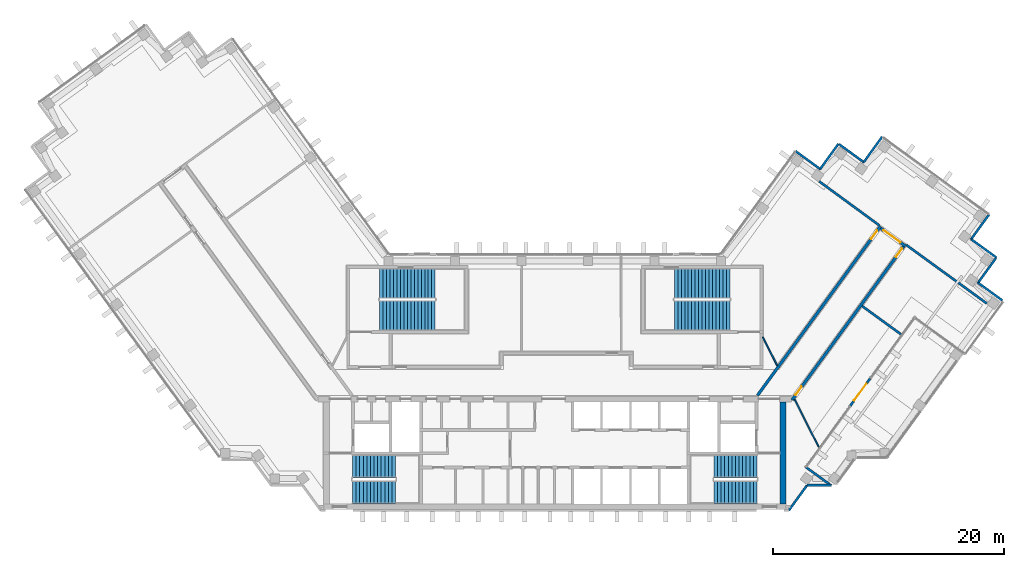
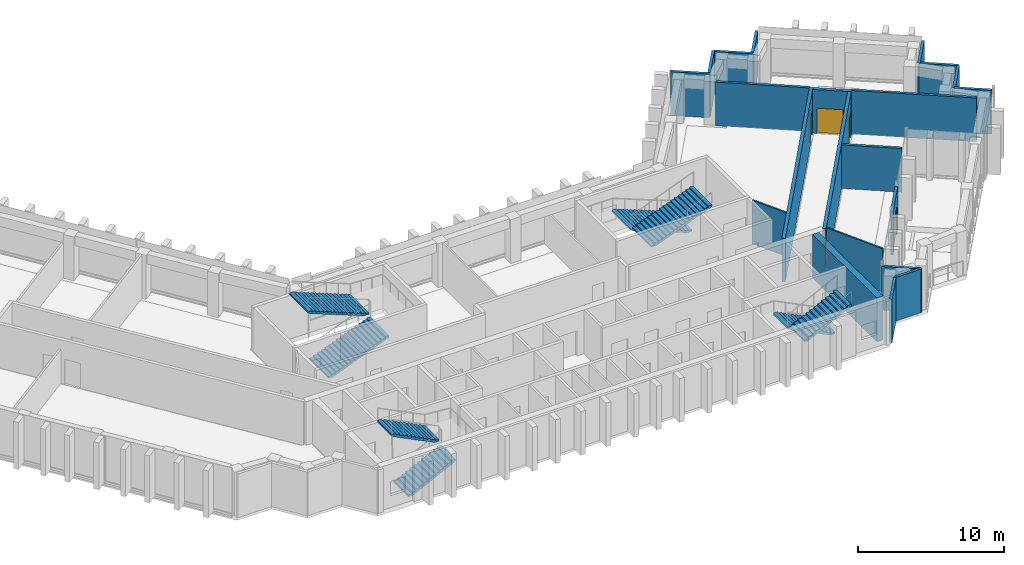
# One storey, part 8 of 10: 21 walls, 8 stair flights, 5 doors, 5 openings, 4 elements without a shape of their own.
"""IFC4 building model written with IfcOpenShell, lengths in metres."""

from ifc_helpers import new_model, si_unit, direction, frame, frame_2d, origin, place, context, subcontext, project, spatial, polyline, rectangle, outline, extrude, material, layer, layer_set, type_object, element, fill, aggregate, save


model = new_model("IFC4")

# Units and contexts
model_context = context("Model", 3, precision=1e-05, world=origin(), true_north=direction((0.0, 1.0)))
body_context = subcontext(model_context, "Body", "Model", "MODEL_VIEW")
ifc_project = project(units=[si_unit("LENGTHUNIT", "METRE"), si_unit("AREAUNIT", "SQUARE_METRE"), si_unit("VOLUMEUNIT", "CUBIC_METRE"), si_unit("PLANEANGLEUNIT", "RADIAN"), si_unit("MASSUNIT", "GRAM", prefix="KILO")], contexts=[model_context])

# Site, building, storey
site_placement = place(None, origin())
site = spatial("IfcSite", under=ifc_project, at=site_placement, CompositionType="ELEMENT")
building_placement = place(site_placement, origin())
building = spatial("IfcBuilding", under=site, at=building_placement, Name="Quipu Civic Tower", CompositionType="ELEMENT")
storey_placement = place(building_placement, frame((0.0, 0.0, 206.0)))
storey = spatial("IfcBuildingStorey", under=building, at=storey_placement, Name="L48", CompositionType="ELEMENT", Elevation=206.0)

# Walls
ifc_material_1 = material(Name="Fired clay blockwork", Category="masonry")
ifc_layer_1 = layer(ifc_material_1, 0.199951171875)
ifc_layer_set_1 = layer_set([ifc_layer_1], Name="Fired clay blockwork")
wall_type_1 = type_object("IfcWallType", Name="Blockwork wall 200", PredefinedType="SOLIDWALL", material=ifc_layer_set_1)
wall_1_placement = place(storey_placement, frame((29.95361328125, 4.17236328125, 0.0), z_axis=(0.0, 0.0, 1.0), x_axis=(-0.809193718638, 0.587541935283, 0.0)))
element("IfcWall", 1, at=wall_1_placement, inside=storey, type_object=wall_type_1, Name="Partition P06", PredefinedType="SOLIDWALL", context=body_context, shape_type="SweptSolid", body=[
    extrude(rectangle(XDim=4.150390625, YDim=0.199951171875, at=frame_2d((2.0751953125, 0.0))), origin(), (0.0, 0.0, 1.0), 3.64990234375),
])
wall_2_placement = place(storey_placement, frame((22.884033203125, 17.400634765625, 0.0), z_axis=(0.0, 0.0, 1.0), x_axis=(0.80698686941, -0.590569380005, 0.0)))
element("IfcWall", 2, at=wall_2_placement, inside=storey, type_object=wall_type_1, Name="Partition P08", PredefinedType="SOLIDWALL", context=body_context, shape_type="SweptSolid", body=[
    extrude(rectangle(XDim=6.465087890625, YDim=0.199951171875, at=frame_2d((3.232421875, 0.0))), origin(), (0.0, 0.0, 1.0), 3.64990234375),
])
wall_3_placement = place(storey_placement, frame((30.414794921875, 11.901611328125, 0.0), z_axis=(0.0, 0.0, 1.0), x_axis=(0.809012783133, -0.587791048526, 0.0)))
element("IfcWall", 3, at=wall_3_placement, inside=storey, type_object=wall_type_1, Name="Partition P09", PredefinedType="SOLIDWALL", context=body_context, shape_type="SweptSolid", body=[
    extrude(rectangle(XDim=8.6201171875, YDim=0.199951171875, at=frame_2d((4.31005859375, 0.0))), origin(), (0.0, 0.0, 1.0), 3.64990234375),
])
ifc_material_2 = material(Name="Concrete C70/85", Category="concrete")
ifc_layer_2 = layer(ifc_material_2, 0.5)
ifc_layer_set_2 = layer_set([ifc_layer_2], Name="Concrete C70/85")
wall_type_2 = type_object("IfcWallType", Name="Core wall 500", PredefinedType="SHEAR", material=ifc_layer_set_2)
wall_4_placement = place(storey_placement, frame((19.75, -10.5, 0.0), z_axis=(0.0, 0.0, 1.0), x_axis=(0.0, 1.0, 0.0)))
element("IfcWall", 4, at=wall_4_placement, inside=storey, type_object=wall_type_2, Name="Core wall", PredefinedType="SHEAR", context=body_context, shape_type="SweptSolid", body=[
    extrude(rectangle(XDim=8.800048828125, YDim=0.5, at=frame_2d((4.39990234375, 0.0))), origin(), (0.0, 0.0, 1.0), 3.64990234375),
])

# Wall, opening, door
ifc_material_3 = material(Name="Concrete C50/60", Category="concrete")
ifc_layer_3 = layer(ifc_material_3, 0.25)
ifc_layer_set_3 = layer_set([ifc_layer_3], Name="Concrete C50/60")
wall_type_3 = type_object("IfcWallType", Name="Corridor wall 250 concrete", PredefinedType="SOLIDWALL", material=ifc_layer_set_3)
wall_5_placement = place(storey_placement, frame((17.544921875, -1.124755859375, 0.0), z_axis=(0.0, 0.0, 1.0), x_axis=(0.58779555165, 0.809009511354, 0.0)))
wall_5 = element("IfcWall", 5, at=wall_5_placement, inside=storey, type_object=wall_type_3, Name="Corridor wall C01", PredefinedType="SOLIDWALL", context=body_context, shape_type="SweptSolid", body=[
    extrude(rectangle(XDim=18.10302734375, YDim=0.25, at=frame_2d((9.051513671875, 0.0))), origin(), (0.0, 0.0, 1.0), 3.64990234375),
])
opening_1_placement = place(wall_5_placement, frame((16.72802734375, 0.0, 0.0)))
opening_1 = element("IfcOpeningElement", 6, at=opening_1_placement, cuts=wall_5, Name="Opening D001", PredefinedType="OPENING", context=body_context, shape_type="SweptSolid", body=[
    extrude(rectangle(XDim=0.89990234375, YDim=2.10009765625, at=frame_2d((0.449951171875, 1.050048828125))), frame((0.0, 0.135009765625, 0.0), z_axis=(0.0, -1.0, 0.0), x_axis=(1.0, 0.0, 0.0)), (0.0, 0.0, 1.0), 0.27001953125),
])
ifc_material_4 = material(Name="Fire rated timber door set with metal frame", Category="wood")
door_type_1 = type_object("IfcDoorType", Name="Single door 900 x 2100 FD60", OperationType="NOTDEFINED", PredefinedType="DOOR", material=ifc_material_4)
door_1_placement = place(opening_1_placement, origin())
door_1 = element("IfcDoor", 7, at=door_1_placement, inside=storey, type_object=door_type_1, Name="Door D001", OperationType="SINGLE_SWING_RIGHT", OverallHeight=2.10009765625, OverallWidth=0.89990234375, PredefinedType="DOOR", context=body_context, shape_type="SweptSolid", body=[
    extrude(rectangle(XDim=0.89990234375, YDim=2.10009765625, at=frame_2d((0.449951171875, 1.050048828125))), frame((0.0, 0.02490234375, 0.0), z_axis=(0.0, -1.0, 0.0), x_axis=(1.0, 0.0, 0.0)), (0.0, 0.0, 1.0), 0.050048828125),
])
fill(opening_1, door_1)

wall_6_placement = place(storey_placement, frame((28.21337890625, 13.34619140625, 0.0), z_axis=(0.0, 0.0, 1.0), x_axis=(0.809006914995, -0.587799125119, 0.0)))
wall_6 = element("IfcWall", 8, at=wall_6_placement, inside=storey, type_object=wall_type_3, Name="Corridor wall C02", PredefinedType="SOLIDWALL", context=body_context, shape_type="SweptSolid", body=[
    extrude(rectangle(XDim=2.64990234375, YDim=0.25, at=frame_2d((1.324951171875, 0.0))), origin(), (0.0, 0.0, 1.0), 3.64990234375),
])
opening_2_placement = place(wall_6_placement, frame((0.30029296875, 0.0, 0.0)))
opening_2 = element("IfcOpeningElement", 9, at=opening_2_placement, cuts=wall_6, Name="Opening D004", PredefinedType="OPENING", context=body_context, shape_type="SweptSolid", body=[
    extrude(rectangle(XDim=1.800048828125, YDim=2.10009765625, at=frame_2d((0.89990234375, 1.050048828125))), frame((0.0, 0.135009765625, 0.0), z_axis=(0.0, -1.0, 0.0), x_axis=(1.0, 0.0, 0.0)), (0.0, 0.0, 1.0), 0.27001953125),
])
ifc_material_5 = material(Name="Fire rated timber door set with metal frame", Category="wood")
door_type_2 = type_object("IfcDoorType", Name="Double door 1800 x 2100 FD60", OperationType="DOUBLE_DOOR_SINGLE_SWING", PredefinedType="DOOR", material=ifc_material_5)
door_2_placement = place(opening_2_placement, origin())
door_2 = element("IfcDoor", 10, at=door_2_placement, inside=storey, type_object=door_type_2, Name="Door D004", OperationType="DOUBLE_DOOR_SINGLE_SWING", OverallHeight=2.10009765625, OverallWidth=1.800048828125, PredefinedType="DOOR", context=body_context, shape_type="SweptSolid", body=[
    extrude(rectangle(XDim=1.800048828125, YDim=2.10009765625, at=frame_2d((0.89990234375, 1.050048828125))), frame((0.0, 0.02490234375, 0.0), z_axis=(0.0, -1.0, 0.0), x_axis=(1.0, 0.0, 0.0)), (0.0, 0.0, 1.0), 0.050048828125),
])
fill(opening_2, door_2)

# Wall, openings, doors
wall_7_placement = place(storey_placement, frame((30.1826171875, 11.760986328125, 0.0), z_axis=(0.0, 0.0, 1.0), x_axis=(-0.587781762867, -0.80901952958, 0.0)))
wall_7 = element("IfcWall", 11, at=wall_7_placement, inside=storey, type_object=wall_type_3, Name="Corridor wall C03", PredefinedType="SOLIDWALL", context=body_context, shape_type="SweptSolid", body=[
    extrude(rectangle(XDim=16.42041015625, YDim=0.25, at=frame_2d((8.210205078125, 0.0))), origin(), (0.0, 0.0, 1.0), 3.64990234375),
])
opening_3_placement = place(wall_7_placement, frame((14.987548828125, 0.0, 0.0)))
opening_3 = element("IfcOpeningElement", 12, at=opening_3_placement, cuts=wall_7, Name="Opening D002", PredefinedType="OPENING", context=body_context, shape_type="SweptSolid", body=[
    extrude(rectangle(XDim=0.89990234375, YDim=2.10009765625, at=frame_2d((0.449951171875, 1.050048828125))), frame((0.0, 0.135009765625, 0.0), z_axis=(0.0, -1.0, 0.0), x_axis=(1.0, 0.0, 0.0)), (0.0, 0.0, 1.0), 0.27001953125),
])
opening_4_placement = place(wall_7_placement, frame((0.224609375, 0.0, 0.0)))
opening_4 = element("IfcOpeningElement", 13, at=opening_4_placement, cuts=wall_7, Name="Opening D003", PredefinedType="OPENING", context=body_context, shape_type="SweptSolid", body=[
    extrude(rectangle(XDim=0.89990234375, YDim=2.10009765625, at=frame_2d((0.449951171875, 1.050048828125))), frame((0.0, 0.135009765625, 0.0), z_axis=(0.0, -1.0, 0.0), x_axis=(1.0, 0.0, 0.0)), (0.0, 0.0, 1.0), 0.27001953125),
])
door_3_placement = place(opening_3_placement, origin())
door_3 = element("IfcDoor", 14, at=door_3_placement, inside=storey, type_object=door_type_1, Name="Door D002", OperationType="SINGLE_SWING_RIGHT", OverallHeight=2.10009765625, OverallWidth=0.89990234375, PredefinedType="DOOR", context=body_context, shape_type="SweptSolid", body=[
    extrude(rectangle(XDim=0.89990234375, YDim=2.10009765625, at=frame_2d((0.449951171875, 1.050048828125))), frame((0.0, 0.02490234375, 0.0), z_axis=(0.0, -1.0, 0.0), x_axis=(1.0, 0.0, 0.0)), (0.0, 0.0, 1.0), 0.050048828125),
])
fill(opening_3, door_3)
door_4_placement = place(opening_4_placement, origin())
door_4 = element("IfcDoor", 15, at=door_4_placement, inside=storey, type_object=door_type_1, Name="Door D003", OperationType="SINGLE_SWING_LEFT", OverallHeight=2.10009765625, OverallWidth=0.89990234375, PredefinedType="DOOR", context=body_context, shape_type="SweptSolid", body=[
    extrude(rectangle(XDim=0.89990234375, YDim=2.10009765625, at=frame_2d((0.449951171875, 1.050048828125))), frame((0.0, 0.02490234375, 0.0), z_axis=(0.0, -1.0, 0.0), x_axis=(1.0, 0.0, 0.0)), (0.0, 0.0, 1.0), 0.050048828125),
])
fill(opening_4, door_4)

# Walls
ifc_material_6 = material(Name="Gypsum plasterboard on light gauge framing")
ifc_layer_4 = layer(ifc_material_6, 0.1201171875)
ifc_layer_set_4 = layer_set([ifc_layer_4], Name="Gypsum plasterboard on light gauge framing")
wall_type_4 = type_object("IfcWallType", Name="Partition 120 plasterboard", PredefinedType="PARTITIONING", material=ifc_layer_set_4)
wall_8_placement = place(storey_placement, frame((20.739013671875, -1.449951171875, 0.0), z_axis=(0.0, 0.0, 1.0), x_axis=(0.453931312426, -0.891036679155, 0.0)))
element("IfcWall", 16, at=wall_8_placement, inside=storey, type_object=wall_type_4, Name="Partition P11", PredefinedType="PARTITIONING", context=body_context, shape_type="SweptSolid", body=[
    extrude(rectangle(XDim=4.628662109375, YDim=0.1201171875, at=frame_2d((2.314453125, 0.0))), origin(), (0.0, 0.0, 1.0), 3.64990234375),
])
wall_9_placement = place(storey_placement, frame((18.0, 3.925048828125, 0.0), z_axis=(0.0, 0.0, 1.0), x_axis=(0.453950796792, -0.891026752736, 0.0)))
element("IfcWall", 17, at=wall_9_placement, inside=storey, type_object=wall_type_4, Name="Partition P12", PredefinedType="PARTITIONING", context=body_context, shape_type="SweptSolid", body=[
    extrude(rectangle(XDim=2.77783203125, YDim=0.1201171875, at=frame_2d((1.388916015625, 0.0))), origin(), (0.0, 0.0, 1.0), 3.64990234375),
])
ifc_material_7 = material(Name="Precast concrete C40/50", Category="concrete")
wall_type_5 = type_object("IfcWallType", Name="Precast cladding wall", PredefinedType="SOLIDWALL", material=ifc_material_7)
wall_10_placement = place(storey_placement, frame((21.8427734375, -8.90380859375, 0.0), z_axis=(0.0, 0.0, 1.0), x_axis=(1.0, 0.0, 0.0)))
element("IfcWall", 18, at=wall_10_placement, inside=storey, type_object=wall_type_5, Name="Precast cladding wall L48 1", PredefinedType="SOLIDWALL", context=body_context, shape_type="SweptSolid", body=[
    extrude(rectangle(XDim=2.09228515625, YDim=0.199951171875, at=frame_2d((1.046142578125, 0.0))), origin(), (0.0, 0.0, 1.0), 3.64990234375),
])
wall_11_placement = place(storey_placement, frame((23.927978515625, -8.92529296875, 0.0), z_axis=(0.0, 0.0, 1.0), x_axis=(-0.809038277723, 0.587755957162, 0.0)))
element("IfcWall", 19, at=wall_11_placement, inside=storey, type_object=wall_type_5, Name="Precast cladding wall L48 2", PredefinedType="SOLIDWALL", context=body_context, shape_type="SweptSolid", body=[
    extrude(rectangle(XDim=2.72412109375, YDim=0.199951171875, at=frame_2d((1.362060546875, 0.0))), origin(), (0.0, 0.0, 1.0), 3.64990234375),
])
wall_12_placement = place(storey_placement, frame((38.747802734375, 7.08984375, 0.0), z_axis=(0.0, 0.0, 1.0), x_axis=(-0.80901210161, 0.587791986546, 0.0)))
element("IfcWall", 20, at=wall_12_placement, inside=storey, type_object=wall_type_5, Name="Precast cladding wall L48 P01", PredefinedType="SOLIDWALL", context=body_context, shape_type="SweptSolid", body=[
    extrude(rectangle(XDim=2.60009765625, YDim=0.199951171875, at=frame_2d((1.300048828125, 0.0))), origin(), (0.0, 0.0, 1.0), 3.64990234375),
])
for number, where, z_axis, x_axis, name in (
    (21, (36.60205078125, 8.580322265625, 0.0), (0.0, 0.0, 1.0), (0.587822180636, 0.808990163075, 0.0), "Precast cladding wall L48 P02"),
    (22, (38.231201171875, 10.80224609375, 0.0), (0.0, 0.0, 1.0), (-0.808958916286, 0.58786518162, 0.0), "Precast cladding wall L48 P03"),
):
    element("IfcWall", number, at=place(storey_placement, frame(where, z_axis=z_axis, x_axis=x_axis)), inside=storey, type_object=wall_type_5, Name=name, PredefinedType="SOLIDWALL", context=body_context, shape_type="SweptSolid", body=[
        extrude(rectangle(XDim=2.699951171875, YDim=0.199951171875, at=frame_2d((1.35009765625, 0.0))), origin(), (0.0, 0.0, 1.0), 3.64990234375),
    ])
wall_13_placement = place(storey_placement, frame((20.253173828125, -11.083251953125, 0.0), z_axis=(0.0, 0.0, 1.0), x_axis=(0.587766567315, 0.809030569476, 0.0)))
element("IfcWall", 23, at=wall_13_placement, inside=storey, type_object=wall_type_5, Name="Precast cladding wall L48 26", PredefinedType="SOLIDWALL", context=body_context, shape_type="SweptSolid", body=[
    extrude(rectangle(XDim=2.687744140625, YDim=0.199951171875, at=frame_2d((1.34375, 0.0))), origin(), (0.0, 0.0, 1.0), 3.64990234375),
])
for number, where, z_axis, x_axis, name in (
    (24, (36.0048828125, 12.3515625, 0.0), (0.0, 0.0, 1.0), (0.587762999008, 0.809033161865, 0.0), "Precast cladding wall L48 27"),
    (25, (28.333984375, 21.26220703125, 0.0), (0.0, 0.0, 1.0), (-0.587762999008, -0.809033161865, 0.0), "Precast cladding wall L48 29"),
):
    element("IfcWall", number, at=place(storey_placement, frame(where, z_axis=z_axis, x_axis=x_axis)), inside=storey, type_object=wall_type_5, Name=name, PredefinedType="SOLIDWALL", context=body_context, shape_type="SweptSolid", body=[
        extrude(rectangle(XDim=2.699951171875, YDim=0.199951171875, at=frame_2d((1.35009765625, 0.0))), origin(), (0.0, 0.0, 1.0), 3.64990234375),
    ])
wall_14_placement = place(storey_placement, frame((26.78466796875, 19.03564453125, 0.0), z_axis=(0.0, 0.0, 1.0), x_axis=(-0.809064397168, 0.587720002413, 0.0)))
element("IfcWall", 26, at=wall_14_placement, inside=storey, type_object=wall_type_5, Name="Precast cladding wall L48 30", PredefinedType="SOLIDWALL", context=body_context, shape_type="SweptSolid", body=[
    extrude(rectangle(XDim=2.7001953125, YDim=0.199951171875, at=frame_2d((1.35009765625, 0.0))), origin(), (0.0, 0.0, 1.0), 3.64990234375),
])
for number, where, z_axis, x_axis, name in (
    (27, (24.562744140625, 20.664794921875, 0.0), (0.0, 0.0, 1.0), (-0.587822180636, -0.808990163075, 0.0), "Precast cladding wall L48 31"),
    (28, (23.01318359375, 18.438232421875, 0.0), (0.0, 0.0, 1.0), (-0.808990163075, 0.587822180636, 0.0), "Precast cladding wall L48 32"),
):
    element("IfcWall", number, at=place(storey_placement, frame(where, z_axis=z_axis, x_axis=x_axis)), inside=storey, type_object=wall_type_5, Name=name, PredefinedType="SOLIDWALL", context=body_context, shape_type="SweptSolid", body=[
        extrude(rectangle(XDim=2.699951171875, YDim=0.199951171875, at=frame_2d((1.35009765625, 0.0))), origin(), (0.0, 0.0, 1.0), 3.64990234375),
    ])

# Wall, opening, door
ifc_material_8 = material(Name="Precast concrete C40/50", Category="concrete")
wall_type_6 = type_object("IfcWallType", Name="Precast door surround", PredefinedType="SOLIDWALL", material=ifc_material_8)
wall_15_placement = place(storey_placement, frame((27.30419921875, 0.35595703125, 0.0), z_axis=(0.0, 0.0, 1.0), x_axis=(-0.587774760134, -0.809024617271, 0.0)))
wall_15 = element("IfcWall", 29, at=wall_15_placement, inside=storey, type_object=wall_type_6, Name="Door surround ED-L48-1", PredefinedType="SOLIDWALL", context=body_context, shape_type="SweptSolid", body=[
    extrude(rectangle(XDim=2.962890625, YDim=0.199951171875, at=frame_2d((1.4814453125, 0.0))), origin(), (0.0, 0.0, 1.0), 3.64990234375),
])
opening_5_placement = place(wall_15_placement, frame((0.58154296875, 0.0, 0.0)))
opening_5 = element("IfcOpeningElement", 30, at=opening_5_placement, cuts=wall_15, Name="Opening ED-L48-1", PredefinedType="OPENING", context=body_context, shape_type="SweptSolid", body=[
    extrude(rectangle(XDim=1.800048828125, YDim=2.39990234375, at=frame_2d((0.89990234375, 1.199951171875))), frame((0.0, 0.10986328125, 0.0), z_axis=(0.0, -1.0, 0.0), x_axis=(1.0, 0.0, 0.0)), (0.0, 0.0, 1.0), 0.219970703125),
])
ifc_material_9 = material(Name="Aluminium framed glazed door", Category="aluminium")
door_type_3 = type_object("IfcDoorType", Name="Terrace door E3", OperationType="DOUBLE_DOOR_SINGLE_SWING", PredefinedType="DOOR", material=ifc_material_9)
door_5_placement = place(opening_5_placement, origin())
door_5 = element("IfcDoor", 31, at=door_5_placement, inside=storey, type_object=door_type_3, Name="E3 door ED-L48-1", OperationType="DOUBLE_DOOR_SINGLE_SWING", OverallHeight=2.39990234375, OverallWidth=1.800048828125, PredefinedType="DOOR", context=body_context, shape_type="SweptSolid", body=[
    extrude(rectangle(XDim=1.800048828125, YDim=2.39990234375, at=frame_2d((0.89990234375, 1.199951171875))), frame((0.0, 0.02490234375, 0.0), z_axis=(0.0, -1.0, 0.0), x_axis=(1.0, 0.0, 0.0)), (0.0, 0.0, 1.0), 0.050048828125),
])
fill(opening_5, door_5)

# Stair, stair flights
ifc_material_10 = material(Name="Concrete C40/50", Category="concrete")
stair_type_1 = type_object("IfcStairType", Name="Half turn stair 2000", PredefinedType="HALF_TURN_STAIR", material=ifc_material_10)
stair_1_placement = place(storey_placement, origin())
stair_1 = element("IfcStair", 32, at=stair_1_placement, inside=storey, type_object=stair_type_1, Name="Exit stair 1", PredefinedType="HALF_TURN_STAIR")
ifc_material_11 = material(Name="Concrete C40/50", Category="concrete")
stair_flight_type_1 = type_object("IfcStairFlightType", Name="Stair flight 2000", PredefinedType="STRAIGHT", material=ifc_material_11)
stair_flight_1_placement = place(storey_placement, frame((-17.5, -9.5, 0.0), z_axis=(0.0, 0.0, 1.0), x_axis=(1.0, 0.0, 0.0)))
stair_flight_1 = element("IfcStairFlight", 33, at=stair_flight_1_placement, type_object=stair_flight_type_1, Name="ST-1 flight 1", NumberOfRisers=13, NumberOfTreads=12, PredefinedType="STRAIGHT", RiserHeight=0.153846154, TreadLength=0.31, context=body_context, shape_type="SweptSolid", body=[
    extrude(outline(polyline([(0.0, 0.0), (0.0, 0.15380859375), (0.31005859375, 0.15380859375), (0.31005859375, 0.3076171875), (0.6201171875, 0.3076171875), (0.6201171875, 0.46142578125), (0.929931640625, 0.46142578125), (0.929931640625, 0.615478515625), (1.239990234375, 0.615478515625), (1.239990234375, 0.769287109375), (1.550048828125, 0.769287109375), (1.550048828125, 0.923095703125), (1.860107421875, 0.923095703125), (1.860107421875, 1.076904296875), (2.169921875, 1.076904296875), (2.169921875, 1.230712890625), (2.47998046875, 1.230712890625), (2.47998046875, 1.384521484375), (2.7900390625, 1.384521484375), (2.7900390625, 1.53857421875), (3.10009765625, 1.53857421875), (3.10009765625, 1.6923828125), (3.409912109375, 1.6923828125), (3.409912109375, 1.84619140625), (3.719970703125, 1.84619140625), (3.719970703125, 2.0), (3.719970703125, 1.6787109375), (0.337158203125, 0.0), (0.0, 0.0)])), frame((0.0, 1.0, 0.0), z_axis=(0.0, -1.0, 0.0), x_axis=(1.0, 0.0, 0.0)), (0.0, 0.0, 1.0), 2.0),
])
stair_flight_2_placement = place(storey_placement, frame((-13.780029296875, -7.25, 2.0), z_axis=(0.0, 0.0, 1.0), x_axis=(-1.0, 0.0, 0.0)))
stair_flight_2 = element("IfcStairFlight", 34, at=stair_flight_2_placement, type_object=stair_flight_type_1, Name="ST-1 flight 2", NumberOfRisers=13, NumberOfTreads=12, PredefinedType="STRAIGHT", RiserHeight=0.153846154, TreadLength=0.31, context=body_context, shape_type="SweptSolid", body=[
    extrude(outline(polyline([(0.0, 0.0), (0.0, 0.15380859375), (0.31005859375, 0.15380859375), (0.31005859375, 0.3076171875), (0.6201171875, 0.3076171875), (0.6201171875, 0.46142578125), (0.929931640625, 0.46142578125), (0.929931640625, 0.615478515625), (1.239990234375, 0.615478515625), (1.239990234375, 0.769287109375), (1.550048828125, 0.769287109375), (1.550048828125, 0.923095703125), (1.860107421875, 0.923095703125), (1.860107421875, 1.076904296875), (2.169921875, 1.076904296875), (2.169921875, 1.230712890625), (2.47998046875, 1.230712890625), (2.47998046875, 1.384521484375), (2.7900390625, 1.384521484375), (2.7900390625, 1.53857421875), (3.10009765625, 1.53857421875), (3.10009765625, 1.6923828125), (3.409912109375, 1.6923828125), (3.409912109375, 1.84619140625), (3.719970703125, 1.84619140625), (3.719970703125, 2.0), (3.719970703125, 1.6787109375), (0.337158203125, 0.0), (0.0, 0.0)])), frame((0.0, 1.0, 0.0), z_axis=(0.0, -1.0, 0.0), x_axis=(1.0, 0.0, 0.0)), (0.0, 0.0, 1.0), 2.0),
])
aggregate(stair_1, [stair_flight_1, stair_flight_2])

stair_2_placement = place(storey_placement, origin())
stair_2 = element("IfcStair", 35, at=stair_2_placement, inside=storey, type_object=stair_type_1, Name="Exit stair 2", PredefinedType="HALF_TURN_STAIR")
stair_flight_3_placement = place(storey_placement, frame((17.5, -7.25, 0.0), z_axis=(0.0, 0.0, 1.0), x_axis=(-1.0, 0.0, 0.0)))
stair_flight_3 = element("IfcStairFlight", 36, at=stair_flight_3_placement, type_object=stair_flight_type_1, Name="ST-2 flight 1", NumberOfRisers=13, NumberOfTreads=12, PredefinedType="STRAIGHT", RiserHeight=0.153846154, TreadLength=0.31, context=body_context, shape_type="SweptSolid", body=[
    extrude(outline(polyline([(0.0, 0.0), (0.0, 0.15380859375), (0.31005859375, 0.15380859375), (0.31005859375, 0.3076171875), (0.6201171875, 0.3076171875), (0.6201171875, 0.46142578125), (0.929931640625, 0.46142578125), (0.929931640625, 0.615478515625), (1.239990234375, 0.615478515625), (1.239990234375, 0.769287109375), (1.550048828125, 0.769287109375), (1.550048828125, 0.923095703125), (1.860107421875, 0.923095703125), (1.860107421875, 1.076904296875), (2.169921875, 1.076904296875), (2.169921875, 1.230712890625), (2.47998046875, 1.230712890625), (2.47998046875, 1.384521484375), (2.7900390625, 1.384521484375), (2.7900390625, 1.53857421875), (3.10009765625, 1.53857421875), (3.10009765625, 1.6923828125), (3.409912109375, 1.6923828125), (3.409912109375, 1.84619140625), (3.719970703125, 1.84619140625), (3.719970703125, 2.0), (3.719970703125, 1.6787109375), (0.337158203125, 0.0), (0.0, 0.0)])), frame((0.0, 1.0, 0.0), z_axis=(0.0, -1.0, 0.0), x_axis=(1.0, 0.0, 0.0)), (0.0, 0.0, 1.0), 2.0),
])
stair_flight_4_placement = place(storey_placement, frame((13.780029296875, -9.5, 2.0), z_axis=(0.0, 0.0, 1.0), x_axis=(1.0, 0.0, 0.0)))
stair_flight_4 = element("IfcStairFlight", 37, at=stair_flight_4_placement, type_object=stair_flight_type_1, Name="ST-2 flight 2", NumberOfRisers=13, NumberOfTreads=12, PredefinedType="STRAIGHT", RiserHeight=0.153846154, TreadLength=0.31, context=body_context, shape_type="SweptSolid", body=[
    extrude(outline(polyline([(0.0, 0.0), (0.0, 0.15380859375), (0.31005859375, 0.15380859375), (0.31005859375, 0.3076171875), (0.6201171875, 0.3076171875), (0.6201171875, 0.46142578125), (0.929931640625, 0.46142578125), (0.929931640625, 0.615478515625), (1.239990234375, 0.615478515625), (1.239990234375, 0.769287109375), (1.550048828125, 0.769287109375), (1.550048828125, 0.923095703125), (1.860107421875, 0.923095703125), (1.860107421875, 1.076904296875), (2.169921875, 1.076904296875), (2.169921875, 1.230712890625), (2.47998046875, 1.230712890625), (2.47998046875, 1.384521484375), (2.7900390625, 1.384521484375), (2.7900390625, 1.53857421875), (3.10009765625, 1.53857421875), (3.10009765625, 1.6923828125), (3.409912109375, 1.6923828125), (3.409912109375, 1.84619140625), (3.719970703125, 1.84619140625), (3.719970703125, 2.0), (3.719970703125, 1.6787109375), (0.337158203125, 0.0), (0.0, 0.0)])), frame((0.0, 1.0, 0.0), z_axis=(0.0, -1.0, 0.0), x_axis=(1.0, 0.0, 0.0)), (0.0, 0.0, 1.0), 2.0),
])
aggregate(stair_2, [stair_flight_3, stair_flight_4])

ifc_material_12 = material(Name="Concrete C40/50", Category="concrete")
stair_type_2 = type_object("IfcStairType", Name="Half turn stair 2600", PredefinedType="HALF_TURN_STAIR", material=ifc_material_12)
stair_3_placement = place(storey_placement, origin())
stair_3 = element("IfcStair", 38, at=stair_3_placement, inside=storey, type_object=stair_type_2, Name="Exit stair 3", PredefinedType="HALF_TURN_STAIR")
ifc_material_13 = material(Name="Concrete C40/50", Category="concrete")
stair_flight_type_2 = type_object("IfcStairFlightType", Name="Stair flight 2600", PredefinedType="STRAIGHT", material=ifc_material_13)
stair_flight_5_placement = place(storey_placement, frame((-15.14990234375, 5.800048828125, 0.0), z_axis=(0.0, 0.0, 1.0), x_axis=(1.0, 0.0, 0.0)))
stair_flight_5 = element("IfcStairFlight", 39, at=stair_flight_5_placement, type_object=stair_flight_type_2, Name="ST-3 flight 1", NumberOfRisers=17, NumberOfTreads=16, PredefinedType="STRAIGHT", RiserHeight=0.117647059, TreadLength=0.3, context=body_context, shape_type="SweptSolid", body=[
    extrude(outline(polyline([(0.0, 0.0), (0.0, 0.11767578125), (0.300048828125, 0.11767578125), (0.300048828125, 0.2353515625), (0.60009765625, 0.2353515625), (0.60009765625, 0.35302734375), (0.89990234375, 0.35302734375), (0.89990234375, 0.470703125), (1.199951171875, 0.470703125), (1.199951171875, 0.588134765625), (1.5, 0.588134765625), (1.5, 0.705810546875), (1.800048828125, 0.705810546875), (1.800048828125, 0.823486328125), (2.10009765625, 0.823486328125), (2.10009765625, 0.941162109375), (2.39990234375, 0.941162109375), (2.39990234375, 1.058837890625), (2.699951171875, 1.058837890625), (2.699951171875, 1.176513671875), (3.0, 1.176513671875), (3.0, 1.294189453125), (3.300048828125, 1.294189453125), (3.300048828125, 1.411865234375), (3.60009765625, 1.411865234375), (3.60009765625, 1.529296875), (3.89990234375, 1.529296875), (3.89990234375, 1.64697265625), (4.199951171875, 1.64697265625), (4.199951171875, 1.7646484375), (4.5, 1.7646484375), (4.5, 1.88232421875), (4.800048828125, 1.88232421875), (4.800048828125, 2.0), (4.800048828125, 1.721435546875), (0.41064453125, 0.0), (0.0, 0.0)])), frame((0.0, 1.300048828125, 0.0), z_axis=(0.0, -1.0, 0.0), x_axis=(1.0, 0.0, 0.0)), (0.0, 0.0, 1.0), 2.60009765625),
])
stair_flight_6_placement = place(storey_placement, frame((-10.35009765625, 8.550048828125, 2.0), z_axis=(0.0, 0.0, 1.0), x_axis=(-1.0, 0.0, 0.0)))
stair_flight_6 = element("IfcStairFlight", 40, at=stair_flight_6_placement, type_object=stair_flight_type_2, Name="ST-3 flight 2", NumberOfRisers=17, NumberOfTreads=16, PredefinedType="STRAIGHT", RiserHeight=0.117647059, TreadLength=0.3, context=body_context, shape_type="SweptSolid", body=[
    extrude(outline(polyline([(0.0, 0.0), (0.0, 0.11767578125), (0.300048828125, 0.11767578125), (0.300048828125, 0.2353515625), (0.60009765625, 0.2353515625), (0.60009765625, 0.35302734375), (0.89990234375, 0.35302734375), (0.89990234375, 0.470703125), (1.199951171875, 0.470703125), (1.199951171875, 0.588134765625), (1.5, 0.588134765625), (1.5, 0.705810546875), (1.800048828125, 0.705810546875), (1.800048828125, 0.823486328125), (2.10009765625, 0.823486328125), (2.10009765625, 0.941162109375), (2.39990234375, 0.941162109375), (2.39990234375, 1.058837890625), (2.699951171875, 1.058837890625), (2.699951171875, 1.176513671875), (3.0, 1.176513671875), (3.0, 1.294189453125), (3.300048828125, 1.294189453125), (3.300048828125, 1.411865234375), (3.60009765625, 1.411865234375), (3.60009765625, 1.529296875), (3.89990234375, 1.529296875), (3.89990234375, 1.64697265625), (4.199951171875, 1.64697265625), (4.199951171875, 1.7646484375), (4.5, 1.7646484375), (4.5, 1.88232421875), (4.800048828125, 1.88232421875), (4.800048828125, 2.0), (4.800048828125, 1.721435546875), (0.41064453125, 0.0), (0.0, 0.0)])), frame((0.0, 1.300048828125, 0.0), z_axis=(0.0, -1.0, 0.0), x_axis=(1.0, 0.0, 0.0)), (0.0, 0.0, 1.0), 2.60009765625),
])
aggregate(stair_3, [stair_flight_5, stair_flight_6])

stair_4_placement = place(storey_placement, origin())
stair_4 = element("IfcStair", 41, at=stair_4_placement, inside=storey, type_object=stair_type_2, Name="Exit stair 4", PredefinedType="HALF_TURN_STAIR")
stair_flight_7_placement = place(storey_placement, frame((15.14990234375, 8.550048828125, 0.0), z_axis=(0.0, 0.0, 1.0), x_axis=(-1.0, 0.0, 0.0)))
stair_flight_7 = element("IfcStairFlight", 42, at=stair_flight_7_placement, type_object=stair_flight_type_2, Name="ST-4 flight 1", NumberOfRisers=17, NumberOfTreads=16, PredefinedType="STRAIGHT", RiserHeight=0.117647059, TreadLength=0.3, context=body_context, shape_type="SweptSolid", body=[
    extrude(outline(polyline([(0.0, 0.0), (0.0, 0.11767578125), (0.300048828125, 0.11767578125), (0.300048828125, 0.2353515625), (0.60009765625, 0.2353515625), (0.60009765625, 0.35302734375), (0.89990234375, 0.35302734375), (0.89990234375, 0.470703125), (1.199951171875, 0.470703125), (1.199951171875, 0.588134765625), (1.5, 0.588134765625), (1.5, 0.705810546875), (1.800048828125, 0.705810546875), (1.800048828125, 0.823486328125), (2.10009765625, 0.823486328125), (2.10009765625, 0.941162109375), (2.39990234375, 0.941162109375), (2.39990234375, 1.058837890625), (2.699951171875, 1.058837890625), (2.699951171875, 1.176513671875), (3.0, 1.176513671875), (3.0, 1.294189453125), (3.300048828125, 1.294189453125), (3.300048828125, 1.411865234375), (3.60009765625, 1.411865234375), (3.60009765625, 1.529296875), (3.89990234375, 1.529296875), (3.89990234375, 1.64697265625), (4.199951171875, 1.64697265625), (4.199951171875, 1.7646484375), (4.5, 1.7646484375), (4.5, 1.88232421875), (4.800048828125, 1.88232421875), (4.800048828125, 2.0), (4.800048828125, 1.721435546875), (0.41064453125, 0.0), (0.0, 0.0)])), frame((0.0, 1.300048828125, 0.0), z_axis=(0.0, -1.0, 0.0), x_axis=(1.0, 0.0, 0.0)), (0.0, 0.0, 1.0), 2.60009765625),
])
stair_flight_8_placement = place(storey_placement, frame((10.35009765625, 5.800048828125, 2.0), z_axis=(0.0, 0.0, 1.0), x_axis=(1.0, 0.0, 0.0)))
stair_flight_8 = element("IfcStairFlight", 43, at=stair_flight_8_placement, type_object=stair_flight_type_2, Name="ST-4 flight 2", NumberOfRisers=17, NumberOfTreads=16, PredefinedType="STRAIGHT", RiserHeight=0.117647059, TreadLength=0.3, context=body_context, shape_type="SweptSolid", body=[
    extrude(outline(polyline([(0.0, 0.0), (0.0, 0.11767578125), (0.300048828125, 0.11767578125), (0.300048828125, 0.2353515625), (0.60009765625, 0.2353515625), (0.60009765625, 0.35302734375), (0.89990234375, 0.35302734375), (0.89990234375, 0.470703125), (1.199951171875, 0.470703125), (1.199951171875, 0.588134765625), (1.5, 0.588134765625), (1.5, 0.705810546875), (1.800048828125, 0.705810546875), (1.800048828125, 0.823486328125), (2.10009765625, 0.823486328125), (2.10009765625, 0.941162109375), (2.39990234375, 0.941162109375), (2.39990234375, 1.058837890625), (2.699951171875, 1.058837890625), (2.699951171875, 1.176513671875), (3.0, 1.176513671875), (3.0, 1.294189453125), (3.300048828125, 1.294189453125), (3.300048828125, 1.411865234375), (3.60009765625, 1.411865234375), (3.60009765625, 1.529296875), (3.89990234375, 1.529296875), (3.89990234375, 1.64697265625), (4.199951171875, 1.64697265625), (4.199951171875, 1.7646484375), (4.5, 1.7646484375), (4.5, 1.88232421875), (4.800048828125, 1.88232421875), (4.800048828125, 2.0), (4.800048828125, 1.721435546875), (0.41064453125, 0.0), (0.0, 0.0)])), frame((0.0, 1.300048828125, 0.0), z_axis=(0.0, -1.0, 0.0), x_axis=(1.0, 0.0, 0.0)), (0.0, 0.0, 1.0), 2.60009765625),
])
aggregate(stair_4, [stair_flight_7, stair_flight_8])

save(model, "model.ifc")
